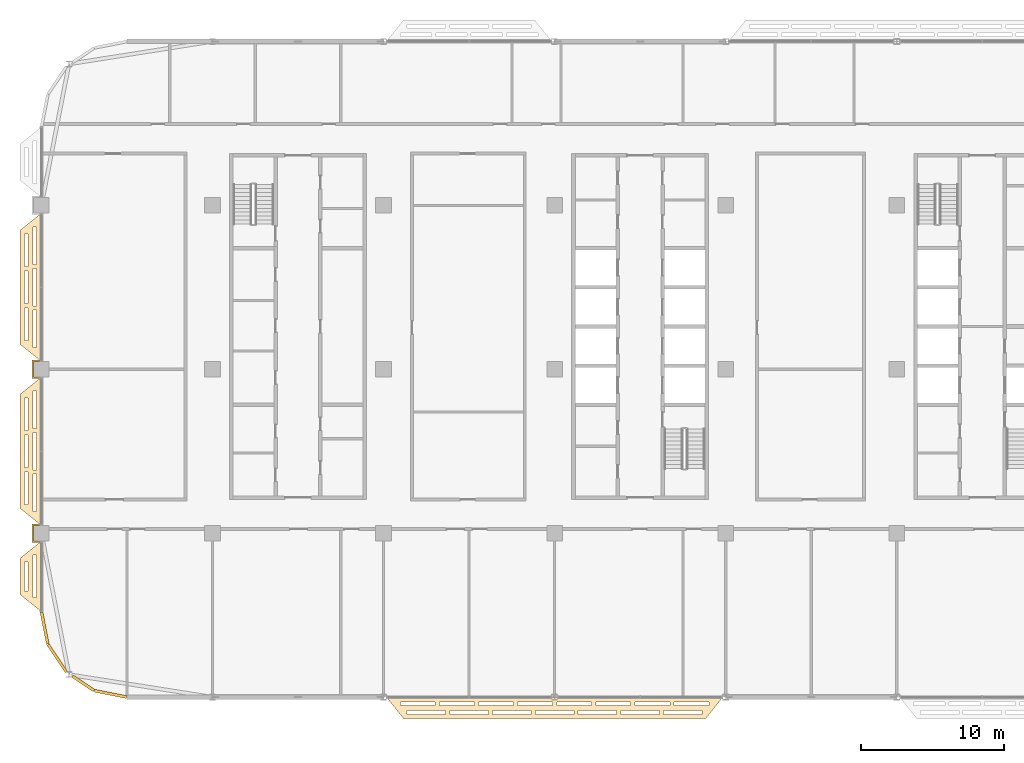
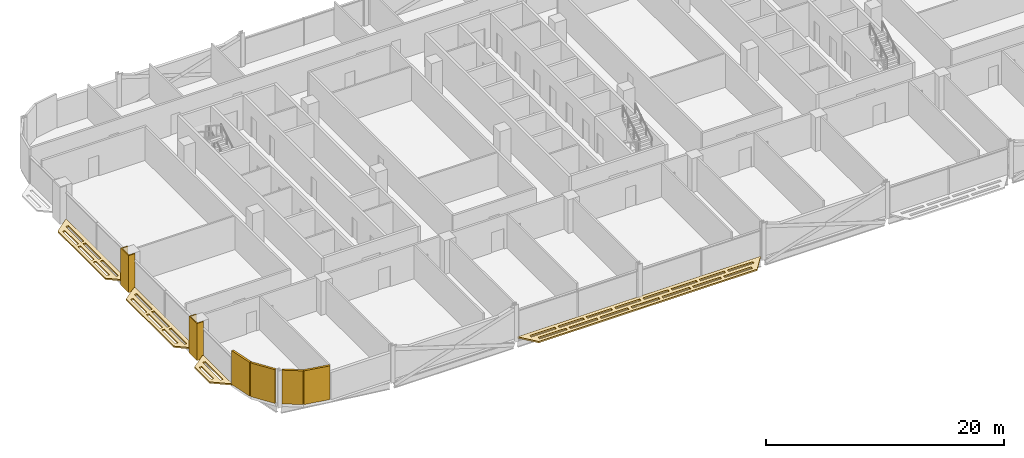
# One storey, part 24 of 29: 10 coverings.
"""IFC4 building model written with IfcOpenShell, lengths in metres."""

from ifc_helpers import new_model, si_unit, direction, frame, origin, origin_2d, place, context, subcontext, project, spatial, polyline, rectangle, outline, extrude, material, layer, layer_set, type_object, element, save


model = new_model("IFC4")

# Units and contexts
model_context = context("Model", 3, precision=1e-05, world=origin(), true_north=direction((0.0, 1.0)))
body_context = subcontext(model_context, "Body", "Model", "MODEL_VIEW")
ifc_project = project(units=[si_unit("LENGTHUNIT", "METRE"), si_unit("AREAUNIT", "SQUARE_METRE"), si_unit("VOLUMEUNIT", "CUBIC_METRE"), si_unit("PLANEANGLEUNIT", "RADIAN"), si_unit("MASSUNIT", "GRAM", prefix="KILO")], contexts=[model_context])

# Site, building, storey
site_placement = place(None, origin())
site = spatial("IfcSite", under=ifc_project, at=site_placement, CompositionType="ELEMENT")
building_placement = place(site_placement, origin())
building = spatial("IfcBuilding", under=site, at=building_placement, Name="Mahtab Terrace Research Tower", CompositionType="ELEMENT")
storey_placement = place(building_placement, frame((0.0, 0.0, 197.699951171875)))
storey = spatial("IfcBuildingStorey", under=building, at=storey_placement, Name="L47", CompositionType="ELEMENT", Elevation=197.699951171875)

# Coverings
ifc_material_1 = material(Name="Black aluminium cladding panel", Category="aluminium")
ifc_layer_1 = layer(ifc_material_1, 0.199951171875)
ifc_layer_set_1 = layer_set([ifc_layer_1], Name="Black metal corner cladding 200")
covering_type_1 = type_object("IfcCoveringType", Name="Black metal corner cladding 200", PredefinedType="CLADDING", material=ifc_layer_set_1)
for number, where, z_axis, x_axis, name in (
    (1, (-41.771484375, -18.14794921875, 0.0), (0.0, 0.0, 1.0), (0.195212442692, -0.980760981187, 0.0), "Corner cladding L47 19"),
    (2, (-40.89306640625, -20.26953125, 0.0), (0.0, 0.0, 1.0), (0.555291490808, -0.831655794326, 0.0), "Corner cladding L47 20"),
):
    element("IfcCovering", number, at=place(storey_placement, frame(where, z_axis=z_axis, x_axis=x_axis)), inside=storey, type_object=covering_type_1, Name=name, PredefinedType="CLADDING", context=body_context, shape_type="SweptSolid", body=[
        extrude(rectangle(XDim=2.30126953125, YDim=0.199951171875, at=origin_2d()), origin(), (0.0, 0.0, 1.0), 3.4599609375),
    ])
covering_1_placement = place(storey_placement, frame((-39.059814453125, -22.032958984375, 0.0), z_axis=(0.0, 0.0, 1.0), x_axis=(0.831655794326, -0.555291490808, 0.0)))
element("IfcCovering", 3, at=covering_1_placement, inside=storey, type_object=covering_type_1, Name="Corner cladding L47 21", PredefinedType="CLADDING", context=body_context, shape_type="SweptSolid", body=[
    extrude(rectangle(XDim=1.797119140625, YDim=0.199951171875, at=origin_2d()), origin(), (0.0, 0.0, 1.0), 3.4599609375),
])
covering_2_placement = place(storey_placement, frame((-37.14794921875, -22.771484375, 0.0), z_axis=(0.0, 0.0, 1.0), x_axis=(0.980760981187, -0.195212442692, 0.0)))
element("IfcCovering", 4, at=covering_2_placement, inside=storey, type_object=covering_type_1, Name="Corner cladding L47 22", PredefinedType="CLADDING", context=body_context, shape_type="SweptSolid", body=[
    extrude(rectangle(XDim=2.30126953125, YDim=0.199951171875, at=origin_2d()), origin(), (0.0, 0.0, 1.0), 3.4599609375),
])
ifc_material_2 = material(Name="Dark anodised aluminium cladding", Category="aluminium")
ifc_layer_2 = layer(ifc_material_2, 0.10009765625)
ifc_layer_set_2 = layer_set([ifc_layer_2], Name="Column casing 100")
covering_type_2 = type_object("IfcCoveringType", Name="Column casing 100", PredefinedType="CLADDING", material=ifc_layer_set_2)
covering_3_placement = place(storey_placement, frame((0.0, 0.0, -0.33984375)))
element("IfcCovering", 5, at=covering_3_placement, inside=storey, type_object=covering_type_2, Name="Column casing RC-1A L47", PredefinedType="CLADDING", context=body_context, shape_type="SweptSolid", body=[
    extrude(outline(polyline([(-42.64990234375, -10.85009765625), (-42.0, -10.85009765625), (-42.0, -10.949951171875), (-42.550048828125, -10.949951171875), (-42.550048828125, -12.050048828125), (-42.0, -12.050048828125), (-42.0, -12.14990234375), (-42.64990234375, -12.14990234375), (-42.64990234375, -10.85009765625)])), origin(), (0.0, 0.0, 1.0), 3.7998046875),
])
covering_4_placement = place(storey_placement, frame((0.0, 0.0, -0.33984375)))
element("IfcCovering", 6, at=covering_4_placement, inside=storey, type_object=covering_type_2, Name="Column casing RC-1B L47", PredefinedType="CLADDING", context=body_context, shape_type="SweptSolid", body=[
    extrude(outline(polyline([(-42.64990234375, 0.64990234375), (-42.0, 0.64990234375), (-42.0, 0.550048828125), (-42.550048828125, 0.550048828125), (-42.550048828125, -0.550048828125), (-42.0, -0.550048828125), (-42.0, -0.64990234375), (-42.64990234375, -0.64990234375), (-42.64990234375, 0.64990234375)])), origin(), (0.0, 0.0, 1.0), 3.7998046875),
])
ifc_material_3 = material(Name="Black anodised aluminium", Category="aluminium")
ifc_layer_3 = layer(ifc_material_3, 0.14990234375)
ifc_layer_set_3 = layer_set([ifc_layer_3], Name="Horizontal sunshade band")
covering_type_3 = type_object("IfcCoveringType", Name="Horizontal sunshade band", PredefinedType="CLADDING", material=ifc_layer_set_3)
covering_5_placement = place(storey_placement, frame((0.0, 0.0, -0.14990234375)))
element("IfcCovering", 7, at=covering_5_placement, inside=storey, type_object=covering_type_3, Name="Sunshade band L47 16", PredefinedType="CLADDING", context=body_context, shape_type="SweptSolid", body=[
    extrude(outline(polyline([(-42.0, 10.949951171875), (-42.0, 0.550048828125), (-43.5, 1.75), (-43.5, 9.75), (-42.0, 10.949951171875)]), holes=[polyline([(-42.35009765625, 9.969970703125), (-42.35009765625, 7.35693359375), (-42.60009765625, 7.35693359375), (-42.60009765625, 9.969970703125), (-42.35009765625, 9.969970703125)]), polyline([(-42.35009765625, 7.056884765625), (-42.35009765625, 4.443115234375), (-42.60009765625, 4.443115234375), (-42.60009765625, 7.056884765625), (-42.35009765625, 7.056884765625)]), polyline([(-42.35009765625, 4.14306640625), (-42.35009765625, 1.530029296875), (-42.60009765625, 1.530029296875), (-42.60009765625, 4.14306640625), (-42.35009765625, 4.14306640625)]), polyline([(-42.949951171875, 9.489990234375), (-42.949951171875, 7.197021484375), (-43.199951171875, 7.197021484375), (-43.199951171875, 9.489990234375), (-42.949951171875, 9.489990234375)]), polyline([(-42.949951171875, 6.89697265625), (-42.949951171875, 4.60302734375), (-43.199951171875, 4.60302734375), (-43.199951171875, 6.89697265625), (-42.949951171875, 6.89697265625)]), polyline([(-42.949951171875, 4.302978515625), (-42.949951171875, 2.010009765625), (-43.199951171875, 2.010009765625), (-43.199951171875, 4.302978515625), (-42.949951171875, 4.302978515625)])]), origin(), (0.0, 0.0, 1.0), 0.14990234375),
])
covering_6_placement = place(storey_placement, frame((0.0, 0.0, -0.14990234375)))
element("IfcCovering", 8, at=covering_6_placement, inside=storey, type_object=covering_type_3, Name="Sunshade band L47 17", PredefinedType="CLADDING", context=body_context, shape_type="SweptSolid", body=[
    extrude(outline(polyline([(-42.0, -0.550048828125), (-42.0, -10.949951171875), (-43.5, -9.75), (-43.5, -1.75), (-42.0, -0.550048828125)]), holes=[polyline([(-42.35009765625, -1.530029296875), (-42.35009765625, -4.14306640625), (-42.60009765625, -4.14306640625), (-42.60009765625, -1.530029296875), (-42.35009765625, -1.530029296875)]), polyline([(-42.35009765625, -4.443115234375), (-42.35009765625, -7.056884765625), (-42.60009765625, -7.056884765625), (-42.60009765625, -4.443115234375), (-42.35009765625, -4.443115234375)]), polyline([(-42.35009765625, -7.35693359375), (-42.35009765625, -9.969970703125), (-42.60009765625, -9.969970703125), (-42.60009765625, -7.35693359375), (-42.35009765625, -7.35693359375)]), polyline([(-42.949951171875, -2.010009765625), (-42.949951171875, -4.302978515625), (-43.199951171875, -4.302978515625), (-43.199951171875, -2.010009765625), (-42.949951171875, -2.010009765625)]), polyline([(-42.949951171875, -4.60302734375), (-42.949951171875, -6.89697265625), (-43.199951171875, -6.89697265625), (-43.199951171875, -4.60302734375), (-42.949951171875, -4.60302734375)]), polyline([(-42.949951171875, -7.197021484375), (-42.949951171875, -9.489990234375), (-43.199951171875, -9.489990234375), (-43.199951171875, -7.197021484375), (-42.949951171875, -7.197021484375)])]), origin(), (0.0, 0.0, 1.0), 0.14990234375),
])
covering_7_placement = place(storey_placement, frame((0.0, 0.0, -0.14990234375)))
element("IfcCovering", 9, at=covering_7_placement, inside=storey, type_object=covering_type_3, Name="Sunshade band L47 18", PredefinedType="CLADDING", context=body_context, shape_type="SweptSolid", body=[
    extrude(outline(polyline([(-42.0, -12.050048828125), (-42.0, -17.0), (-43.5, -15.800048828125), (-43.5, -13.25), (-42.0, -12.050048828125)]), holes=[polyline([(-42.35009765625, -13.030029296875), (-42.35009765625, -16.02001953125), (-42.60009765625, -16.02001953125), (-42.60009765625, -13.030029296875), (-42.35009765625, -13.030029296875)]), polyline([(-42.949951171875, -13.510009765625), (-42.949951171875, -15.5400390625), (-43.199951171875, -15.5400390625), (-43.199951171875, -13.510009765625), (-42.949951171875, -13.510009765625)])]), origin(), (0.0, 0.0, 1.0), 0.14990234375),
])
covering_8_placement = place(storey_placement, frame((0.0, 0.0, -0.14990234375)))
element("IfcCovering", 10, at=covering_8_placement, inside=storey, type_object=covering_type_3, Name="Sunshade band L47 25", PredefinedType="CLADDING", context=body_context, shape_type="SweptSolid", body=[
    extrude(outline(polyline([(-17.800048828125, -23.0), (5.800048828125, -23.0), (4.60009765625, -24.5), (-16.60009765625, -24.5), (-17.800048828125, -23.0)]), holes=[polyline([(-16.820068359375, -23.35009765625), (-14.3779296875, -23.35009765625), (-14.3779296875, -23.60009765625), (-16.820068359375, -23.60009765625), (-16.820068359375, -23.35009765625)]), polyline([(-14.077880859375, -23.35009765625), (-11.635009765625, -23.35009765625), (-11.635009765625, -23.60009765625), (-14.077880859375, -23.60009765625), (-14.077880859375, -23.35009765625)]), polyline([(-11.3349609375, -23.35009765625), (-8.89306640625, -23.35009765625), (-8.89306640625, -23.60009765625), (-11.3349609375, -23.60009765625), (-11.3349609375, -23.35009765625)]), polyline([(-8.593017578125, -23.35009765625), (-6.14990234375, -23.35009765625), (-6.14990234375, -23.60009765625), (-8.593017578125, -23.60009765625), (-8.593017578125, -23.35009765625)]), polyline([(-5.85009765625, -23.35009765625), (-3.406982421875, -23.35009765625), (-3.406982421875, -23.60009765625), (-5.85009765625, -23.60009765625), (-5.85009765625, -23.35009765625)]), polyline([(-3.10791015625, -23.35009765625), (-0.6650390625, -23.35009765625), (-0.6650390625, -23.60009765625), (-3.10791015625, -23.60009765625), (-3.10791015625, -23.35009765625)]), polyline([(-0.364990234375, -23.35009765625), (2.077880859375, -23.35009765625), (2.077880859375, -23.60009765625), (-0.364990234375, -23.60009765625), (-0.364990234375, -23.35009765625)]), polyline([(2.376953125, -23.35009765625), (4.820068359375, -23.35009765625), (4.820068359375, -23.60009765625), (2.376953125, -23.60009765625), (2.376953125, -23.35009765625)]), polyline([(-16.340087890625, -23.949951171875), (-13.64306640625, -23.949951171875), (-13.64306640625, -24.199951171875), (-16.340087890625, -24.199951171875), (-16.340087890625, -23.949951171875)]), polyline([(-13.343017578125, -23.949951171875), (-10.64599609375, -23.949951171875), (-10.64599609375, -24.199951171875), (-13.343017578125, -24.199951171875), (-13.343017578125, -23.949951171875)]), polyline([(-10.345947265625, -23.949951171875), (-7.64892578125, -23.949951171875), (-7.64892578125, -24.199951171875), (-10.345947265625, -24.199951171875), (-10.345947265625, -23.949951171875)]), polyline([(-7.34912109375, -23.949951171875), (-4.65087890625, -23.949951171875), (-4.65087890625, -24.199951171875), (-7.34912109375, -24.199951171875), (-7.34912109375, -23.949951171875)]), polyline([(-4.35107421875, -23.949951171875), (-1.654052734375, -23.949951171875), (-1.654052734375, -24.199951171875), (-4.35107421875, -24.199951171875), (-4.35107421875, -23.949951171875)]), polyline([(-1.35400390625, -23.949951171875), (1.343017578125, -23.949951171875), (1.343017578125, -24.199951171875), (-1.35400390625, -24.199951171875), (-1.35400390625, -23.949951171875)]), polyline([(1.64306640625, -23.949951171875), (4.340087890625, -23.949951171875), (4.340087890625, -24.199951171875), (1.64306640625, -24.199951171875), (1.64306640625, -23.949951171875)])]), origin(), (0.0, 0.0, 1.0), 0.14990234375),
])

save(model, "model.ifc")
